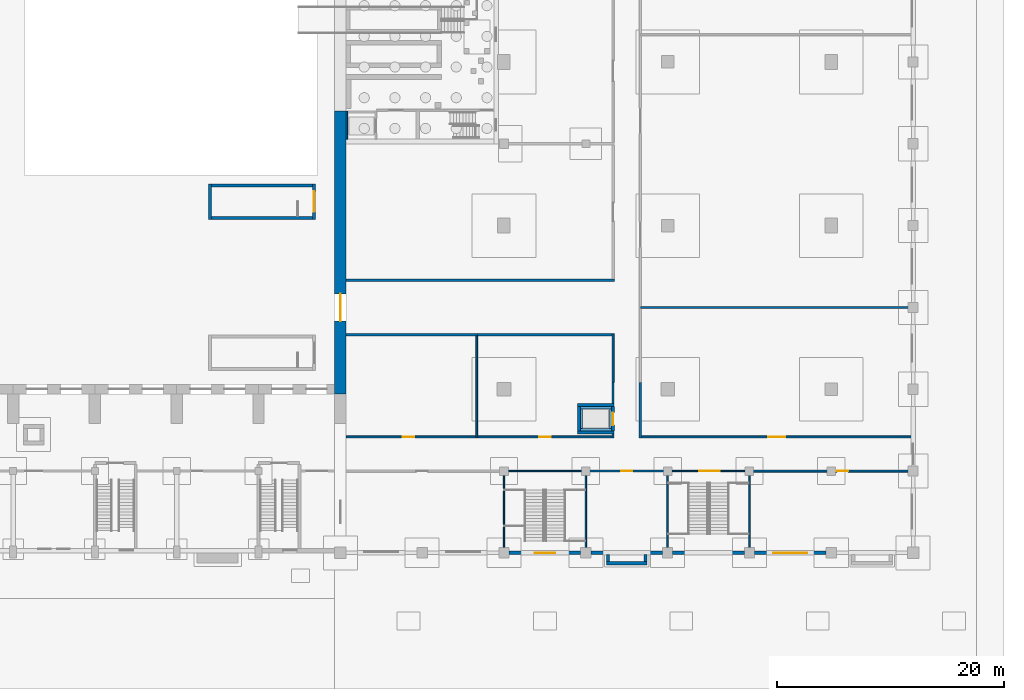
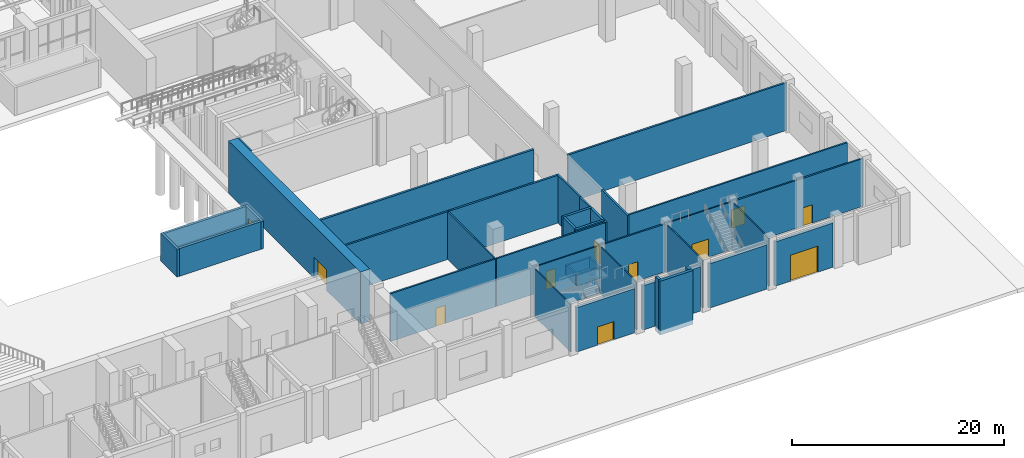
# One storey, part 48 of 70: 41 walls, 11 doors, 11 openings.
"""IFC4 building model written with IfcOpenShell, lengths in metres."""

from ifc_helpers import new_model, si_unit, direction, frame, frame_2d, origin, place, context, subcontext, project, spatial, rectangle, extrude, material, layer, layer_set, type_object, element, fill, save


model = new_model("IFC4")

# Units and contexts
model_context = context("Model", 3, precision=1e-05, world=origin(), true_north=direction((0.0, 1.0)))
body_context = subcontext(model_context, "Body", "Model", "MODEL_VIEW")
ifc_project = project(units=[si_unit("LENGTHUNIT", "METRE"), si_unit("AREAUNIT", "SQUARE_METRE"), si_unit("VOLUMEUNIT", "CUBIC_METRE"), si_unit("PLANEANGLEUNIT", "RADIAN"), si_unit("MASSUNIT", "GRAM", prefix="KILO")], contexts=[model_context])

# Site, building, storey
site_placement = place(None, origin())
site = spatial("IfcSite", under=ifc_project, at=site_placement, CompositionType="ELEMENT")
building_placement = place(site_placement, origin())
building = spatial("IfcBuilding", under=site, at=building_placement, Name="Vermilion Court Aquatics Centre", CompositionType="ELEMENT")
storey_placement = place(building_placement, origin())
storey = spatial("IfcBuildingStorey", under=building, at=storey_placement, Name="L00", CompositionType="ELEMENT", Elevation=0.0)

# Wall
ifc_material_1 = material(Name="Concrete 5000 psi", Category="concrete")
ifc_layer_1 = layer(ifc_material_1, 0.14990234375)
ifc_layer_set_1 = layer_set([ifc_layer_1], Name="Diving Tower lift shaft wall 150")
wall_type_1 = type_object("IfcWallType", Name="Diving Tower lift shaft wall 150", PredefinedType="PARTITIONING", material=ifc_layer_set_1)
wall_1_placement = place(storey_placement, frame((144.574951171875, 36.39990234375, 0.0), z_axis=(0.0, 0.0, 1.0), x_axis=(0.0, 1.0, 0.0)))
element("IfcWall", 1, at=wall_1_placement, inside=storey, type_object=wall_type_1, Name="Diving Tower lift shaft wall west L00", PredefinedType="PARTITIONING", context=body_context, shape_type="SweptSolid", body=[
    extrude(rectangle(XDim=2.47509765625, YDim=0.14990234375, at=frame_2d((1.237548828125, 0.0))), origin(), (0.0, 0.0, 1.0), 6.0),
])

# Wall, opening, door
ifc_material_2 = material(Name="Concrete 5000 psi", Category="concrete")
ifc_layer_2 = layer(ifc_material_2, 1.0)
ifc_layer_set_2 = layer_set([ifc_layer_2], Name="Envelope east gable separation wall 1000")
wall_type_2 = type_object("IfcWallType", Name="Envelope east gable separation wall 1000", PredefinedType="SOLIDWALL", material=ifc_layer_set_2)
wall_2_placement = place(storey_placement, frame((144.0, 14.0, 0.0), z_axis=(0.0, 0.0, 1.0), x_axis=(0.0, 1.0, 0.0)))
wall_2 = element("IfcWall", 2, at=wall_2_placement, inside=storey, type_object=wall_type_2, Name="Gable wall east L00 south jamb", PredefinedType="SOLIDWALL", context=body_context, shape_type="SweptSolid", body=[
    extrude(rectangle(XDim=24.89990234375, YDim=1.0, at=frame_2d((12.449951171875, 0.0))), origin(), (0.0, 0.0, 1.0), 6.0),
])
opening_1_placement = place(wall_2_placement, frame((6.39990234375, 0.0, 0.0)))
opening_1 = element("IfcOpeningElement", 3, at=opening_1_placement, cuts=wall_2, Name="Opening E00-001", PredefinedType="OPENING", context=body_context, shape_type="SweptSolid", body=[
    extrude(rectangle(XDim=2.39990234375, YDim=2.39990234375, at=frame_2d((1.199951171875, 1.199951171875))), frame((0.0, 0.510009765625, 0.0), z_axis=(0.0, -1.0, 0.0), x_axis=(1.0, 0.0, 0.0)), (0.0, 0.0, 1.0), 1.02001953125),
])
ifc_material_3 = material(Name="Hollow metal")
door_type_1 = type_object("IfcDoorType", Name="Envelope east link door pair 2400x2400", OperationType="DOUBLE_DOOR_SINGLE_SWING", PredefinedType="DOOR", material=ifc_material_3)
door_1_placement = place(opening_1_placement, frame((2.39990234375, 0.0, 0.0), z_axis=(0.0, 0.0, 1.0), x_axis=(-1.0, 0.0, 0.0)))
door_1 = element("IfcDoor", 4, at=door_1_placement, inside=storey, type_object=door_type_1, Name="Deck link to the Fitness and Wellness Wing E00-001", OperationType="DOUBLE_DOOR_SINGLE_SWING", OverallHeight=2.39990234375, OverallWidth=2.39990234375, PredefinedType="DOOR", context=body_context, shape_type="SweptSolid", body=[
    extrude(rectangle(XDim=2.39990234375, YDim=2.39990234375, at=frame_2d((1.199951171875, 1.199951171875))), frame((0.0, 0.025146484375, 0.0), z_axis=(0.0, -1.0, 0.0), x_axis=(1.0, 0.0, 0.0)), (0.0, 0.0, 1.0), 0.050048828125),
])
fill(opening_1, door_1)

# Wall
ifc_material_4 = material(Name="Concrete 5000 psi", Category="concrete")
ifc_layer_3 = layer(ifc_material_4, 0.25)
ifc_layer_set_3 = layer_set([ifc_layer_3], Name="Hall stair enclosure wall 250")
wall_type_3 = type_object("IfcWallType", Name="Hall stair enclosure wall 250", PredefinedType="SOLIDWALL", material=ifc_layer_set_3)
wall_3_placement = place(storey_placement, frame((132.52490234375, 29.35009765625, 0.0), z_axis=(0.0, 0.0, 1.0), x_axis=(0.0, 1.0, 0.0)))
element("IfcWall", 5, at=wall_3_placement, inside=storey, type_object=wall_type_3, Name="Stair lobby 5 wall", PredefinedType="SOLIDWALL", context=body_context, shape_type="SweptSolid", body=[
    extrude(rectangle(XDim=3.099853515625, YDim=0.25, at=frame_2d((1.5498046875, 0.0))), origin(), (0.0, 0.0, 1.0), 3.199951171875),
])

# Wall, opening, door
wall_4_placement = place(storey_placement, frame((141.675048828125, 29.35009765625, 0.0), z_axis=(0.0, 0.0, 1.0), x_axis=(0.0, 1.0, 0.0)))
wall_4 = element("IfcWall", 6, at=wall_4_placement, inside=storey, type_object=wall_type_3, Name="Stair lobby 5 wall", PredefinedType="SOLIDWALL", context=body_context, shape_type="SweptSolid", body=[
    extrude(rectangle(XDim=3.099853515625, YDim=0.25, at=frame_2d((1.5498046875, 0.0))), origin(), (0.0, 0.0, 1.0), 3.199951171875),
])
opening_2_placement = place(wall_4_placement, frame((0.64990234375, 0.0, 0.0)))
opening_2 = element("IfcOpeningElement", 7, at=opening_2_placement, cuts=wall_4, Name="Opening H00-008", PredefinedType="OPENING", context=body_context, shape_type="SweptSolid", body=[
    extrude(rectangle(XDim=1.800048828125, YDim=2.10009765625, at=frame_2d((0.89990234375, 1.050048828125))), frame((0.0, 0.135009765625, 0.0), z_axis=(0.0, -1.0, 0.0), x_axis=(1.0, 0.0, 0.0)), (0.0, 0.0, 1.0), 0.27001953125),
])
ifc_material_5 = material(Name="Hollow metal")
door_type_2 = type_object("IfcDoorType", Name="Hall double door 1800x2100", OperationType="DOUBLE_DOOR_SINGLE_SWING", PredefinedType="DOOR", material=ifc_material_5)
door_2_placement = place(opening_2_placement, origin())
door_2 = element("IfcDoor", 8, at=door_2_placement, inside=storey, type_object=door_type_2, Name="Door from stair lobby 5 to the deck", OperationType="DOUBLE_DOOR_SINGLE_SWING", OverallHeight=2.10009765625, OverallWidth=1.800048828125, PredefinedType="DOOR", context=body_context, shape_type="SweptSolid", body=[
    extrude(rectangle(XDim=1.800048828125, YDim=2.10009765625, at=frame_2d((0.89990234375, 1.050048828125))), frame((0.0, 0.02490234375, 0.0), z_axis=(0.0, -1.0, 0.0), x_axis=(1.0, 0.0, 0.0)), (0.0, 0.0, 1.0), 0.050048828125),
])
fill(opening_2, door_2)

# Walls
for number, where, z_axis, x_axis, name in (
    (9, (132.64990234375, 29.47509765625, 0.0), (0.0, 0.0, 1.0), (1.0, 0.0, 0.0), "Stair lobby 5 wall"),
    (10, (132.64990234375, 32.324951171875, 0.0), (0.0, 0.0, 1.0), (1.0, 0.0, 0.0), "Stair lobby 5 wall"),
):
    element("IfcWall", number, at=place(storey_placement, frame(where, z_axis=z_axis, x_axis=x_axis)), inside=storey, type_object=wall_type_3, Name=name, PredefinedType="SOLIDWALL", context=body_context, shape_type="SweptSolid", body=[
        extrude(rectangle(XDim=8.900146484375, YDim=0.25, at=frame_2d((4.4501953125, 0.0))), origin(), (0.0, 0.0, 1.0), 3.199951171875),
    ])

# Wall, opening, door
ifc_material_6 = material(Name="Concrete masonry ASTM C90 Type I", Category="masonry")
ifc_layer_4 = layer(ifc_material_6, 0.175048828125)
ifc_layer_set_4 = layer_set([ifc_layer_4], Name="Podium corridor wall 175, 1 hr")
wall_type_4 = type_object("IfcWallType", Name="Podium corridor wall 175, 1 hr", PredefinedType="PARTITIONING", material=ifc_layer_set_4)
wall_5_placement = place(storey_placement, frame((165.66259765625, 7.199951171875, 0.0), z_axis=(0.0, 0.0, 1.0), x_axis=(1.0, 0.0, 0.0)))
wall_5 = element("IfcWall", 11, at=wall_5_placement, inside=storey, type_object=wall_type_4, Name="Corridor wall", PredefinedType="PARTITIONING", context=body_context, shape_type="SweptSolid", body=[
    extrude(rectangle(XDim=7.074951171875, YDim=0.175048828125, at=frame_2d((3.53759765625, 0.0))), origin(), (0.0, 0.0, 1.0), 5.5),
])
opening_3_placement = place(wall_5_placement, frame((3.03759765625, 0.0, 0.0)))
opening_3 = element("IfcOpeningElement", 12, at=opening_3_placement, cuts=wall_5, Name="Opening P00-004", PredefinedType="OPENING", context=body_context, shape_type="SweptSolid", body=[
    extrude(rectangle(XDim=1.0, YDim=2.199951171875, at=frame_2d((0.5, 1.10009765625))), frame((0.0, 0.097412109375, 0.0), z_axis=(0.0, -1.0, 0.0), x_axis=(1.0, 0.0, 0.0)), (0.0, 0.0, 1.0), 0.195068359375),
])
ifc_material_7 = material(Name="Hollow metal")
door_type_3 = type_object("IfcDoorType", Name="Podium fire door back-of-house leaf 1000x2200, 60 min", OperationType="NOTDEFINED", PredefinedType="DOOR", material=ifc_material_7)
door_3_placement = place(opening_3_placement, frame((1.0, 0.0, 0.0), z_axis=(0.0, 0.0, 1.0), x_axis=(-1.0, 0.0, 0.0)))
door_3 = element("IfcDoor", 13, at=door_3_placement, inside=storey, type_object=door_type_3, Name="Door", OperationType="SINGLE_SWING_RIGHT", OverallHeight=2.199951171875, OverallWidth=1.0, PredefinedType="DOOR", context=body_context, shape_type="SweptSolid", body=[
    extrude(rectangle(XDim=1.0, YDim=2.199951171875, at=frame_2d((0.5, 1.10009765625))), frame((0.0, 0.025146484375, 0.0), z_axis=(0.0, -1.0, 0.0), x_axis=(1.0, 0.0, 0.0)), (0.0, 0.0, 1.0), 0.050048828125),
])
fill(opening_3, door_3)

wall_6_placement = place(storey_placement, frame((180.0625, 7.199951171875, 0.0), z_axis=(0.0, 0.0, 1.0), x_axis=(1.0, 0.0, 0.0)))
wall_6 = element("IfcWall", 14, at=wall_6_placement, inside=storey, type_object=wall_type_4, Name="Corridor wall", PredefinedType="PARTITIONING", context=body_context, shape_type="SweptSolid", body=[
    extrude(rectangle(XDim=14.1875, YDim=0.175048828125, at=frame_2d((7.09375, 0.0))), origin(), (0.0, 0.0, 1.0), 5.5),
])
opening_4_placement = place(wall_6_placement, frame((7.637451171875, 0.0, 0.0)))
opening_4 = element("IfcOpeningElement", 15, at=opening_4_placement, cuts=wall_6, Name="Opening P00-008", PredefinedType="OPENING", context=body_context, shape_type="SweptSolid", body=[
    extrude(rectangle(XDim=1.0, YDim=2.10009765625, at=frame_2d((0.5, 1.050048828125))), frame((0.0, 0.097412109375, 0.0), z_axis=(0.0, -1.0, 0.0), x_axis=(1.0, 0.0, 0.0)), (0.0, 0.0, 1.0), 0.195068359375),
])
ifc_material_8 = material(Name="Hollow metal")
door_type_4 = type_object("IfcDoorType", Name="Podium fire door leaf 1000x2100, 60 min", OperationType="NOTDEFINED", PredefinedType="DOOR", material=ifc_material_8)
door_4_placement = place(opening_4_placement, frame((1.0, 0.0, 0.0), z_axis=(0.0, 0.0, 1.0), x_axis=(-1.0, 0.0, 0.0)))
door_4 = element("IfcDoor", 16, at=door_4_placement, inside=storey, type_object=door_type_4, Name="Door", OperationType="SINGLE_SWING_LEFT", OverallHeight=2.10009765625, OverallWidth=1.0, PredefinedType="DOOR", context=body_context, shape_type="SweptSolid", body=[
    extrude(rectangle(XDim=1.0, YDim=2.10009765625, at=frame_2d((0.5, 1.050048828125))), frame((0.0, 0.025146484375, 0.0), z_axis=(0.0, -1.0, 0.0), x_axis=(1.0, 0.0, 0.0)), (0.0, 0.0, 1.0), 0.050048828125),
])
fill(opening_4, door_4)

wall_7_placement = place(storey_placement, frame((144.5, 10.199951171875, 0.0), z_axis=(0.0, 0.0, 1.0), x_axis=(1.0, 0.0, 0.0)))
wall_7 = element("IfcWall", 17, at=wall_7_placement, inside=storey, type_object=wall_type_4, Name="Corridor wall", PredefinedType="PARTITIONING", context=body_context, shape_type="SweptSolid", body=[
    extrude(rectangle(XDim=11.425048828125, YDim=0.175048828125, at=frame_2d((5.71240234375, 0.0))), origin(), (0.0, 0.0, 1.0), 5.5),
])
opening_5_placement = place(wall_7_placement, frame((5.0, 0.0, 0.0)))
opening_5 = element("IfcOpeningElement", 18, at=opening_5_placement, cuts=wall_7, Name="Opening P00-006", PredefinedType="OPENING", context=body_context, shape_type="SweptSolid", body=[
    extrude(rectangle(XDim=1.0, YDim=2.10009765625, at=frame_2d((0.5, 1.050048828125))), frame((0.0, 0.097412109375, 0.0), z_axis=(0.0, -1.0, 0.0), x_axis=(1.0, 0.0, 0.0)), (0.0, 0.0, 1.0), 0.195068359375),
])
door_5_placement = place(opening_5_placement, origin())
door_5 = element("IfcDoor", 19, at=door_5_placement, inside=storey, type_object=door_type_4, Name="Door", OperationType="SINGLE_SWING_LEFT", OverallHeight=2.10009765625, OverallWidth=1.0, PredefinedType="DOOR", context=body_context, shape_type="SweptSolid", body=[
    extrude(rectangle(XDim=1.0, YDim=2.10009765625, at=frame_2d((0.5, 1.050048828125))), frame((0.0, 0.02490234375, 0.0), z_axis=(0.0, -1.0, 0.0), x_axis=(1.0, 0.0, 0.0)), (0.0, 0.0, 1.0), 0.050048828125),
])
fill(opening_5, door_5)

wall_8_placement = place(storey_placement, frame((156.074951171875, 10.199951171875, 0.0), z_axis=(0.0, 0.0, 1.0), x_axis=(1.0, 0.0, 0.0)))
wall_8 = element("IfcWall", 20, at=wall_8_placement, inside=storey, type_object=wall_type_4, Name="Corridor wall", PredefinedType="PARTITIONING", context=body_context, shape_type="SweptSolid", body=[
    extrude(rectangle(XDim=11.824951171875, YDim=0.175048828125, at=frame_2d((5.91259765625, 0.0))), origin(), (0.0, 0.0, 1.0), 5.5),
])
opening_6_placement = place(wall_8_placement, frame((5.425048828125, 0.0, 0.0)))
opening_6 = element("IfcOpeningElement", 21, at=opening_6_placement, cuts=wall_8, Name="Opening P00-007", PredefinedType="OPENING", context=body_context, shape_type="SweptSolid", body=[
    extrude(rectangle(XDim=1.0, YDim=2.10009765625, at=frame_2d((0.5, 1.050048828125))), frame((0.0, 0.097412109375, 0.0), z_axis=(0.0, -1.0, 0.0), x_axis=(1.0, 0.0, 0.0)), (0.0, 0.0, 1.0), 0.195068359375),
])
door_6_placement = place(opening_6_placement, origin())
door_6 = element("IfcDoor", 22, at=door_6_placement, inside=storey, type_object=door_type_4, Name="Door", OperationType="SINGLE_SWING_LEFT", OverallHeight=2.10009765625, OverallWidth=1.0, PredefinedType="DOOR", context=body_context, shape_type="SweptSolid", body=[
    extrude(rectangle(XDim=1.0, YDim=2.10009765625, at=frame_2d((0.5, 1.050048828125))), frame((0.0, 0.02490234375, 0.0), z_axis=(0.0, -1.0, 0.0), x_axis=(1.0, 0.0, 0.0)), (0.0, 0.0, 1.0), 0.050048828125),
])
fill(opening_6, door_6)

wall_9_placement = place(storey_placement, frame((170.5, 10.199951171875, 0.0), z_axis=(0.0, 0.0, 1.0), x_axis=(1.0, 0.0, 0.0)))
wall_9 = element("IfcWall", 23, at=wall_9_placement, inside=storey, type_object=wall_type_4, Name="Corridor wall", PredefinedType="PARTITIONING", context=body_context, shape_type="SweptSolid", body=[
    extrude(rectangle(XDim=23.75, YDim=0.175048828125, at=frame_2d((11.875, 0.0))), origin(), (0.0, 0.0, 1.0), 5.5),
])
opening_7_placement = place(wall_9_placement, frame((11.14990234375, 0.0, 0.0)))
opening_7 = element("IfcOpeningElement", 24, at=opening_7_placement, cuts=wall_9, Name="Opening P00-009", PredefinedType="OPENING", context=body_context, shape_type="SweptSolid", body=[
    extrude(rectangle(XDim=1.5, YDim=2.10009765625, at=frame_2d((0.75, 1.050048828125))), frame((0.0, 0.097412109375, 0.0), z_axis=(0.0, -1.0, 0.0), x_axis=(1.0, 0.0, 0.0)), (0.0, 0.0, 1.0), 0.195068359375),
])
ifc_material_9 = material(Name="Hollow metal")
door_type_5 = type_object("IfcDoorType", Name="Podium fire door laundry pair 1500x2100, 60 min", OperationType="DOUBLE_DOOR_SINGLE_SWING", PredefinedType="DOOR", material=ifc_material_9)
door_7_placement = place(opening_7_placement, origin())
door_7 = element("IfcDoor", 25, at=door_7_placement, inside=storey, type_object=door_type_5, Name="Door", OperationType="DOUBLE_DOOR_SINGLE_SWING", OverallHeight=2.10009765625, OverallWidth=1.5, PredefinedType="DOOR", context=body_context, shape_type="SweptSolid", body=[
    extrude(rectangle(XDim=1.5, YDim=2.10009765625, at=frame_2d((0.75, 1.050048828125))), frame((0.0, 0.02490234375, 0.0), z_axis=(0.0, -1.0, 0.0), x_axis=(1.0, 0.0, 0.0)), (0.0, 0.0, 1.0), 0.050048828125),
])
fill(opening_7, door_7)

# Wall
wall_10_placement = place(storey_placement, frame((168.0, 15.0, 0.0), z_axis=(0.0, 0.0, 1.0), x_axis=(0.0, 1.0, 0.0)))
element("IfcWall", 26, at=wall_10_placement, inside=storey, type_object=wall_type_4, Name="Corridor wall", PredefinedType="PARTITIONING", context=body_context, shape_type="SweptSolid", body=[
    extrude(rectangle(XDim=4.300048828125, YDim=0.175048828125, at=frame_2d((2.14990234375, 0.0))), origin(), (0.0, 0.0, 1.0), 5.5),
])

# Wall, opening, door
ifc_material_10 = material(Name="Brick masonry", Category="masonry")
ifc_layer_5 = layer(ifc_material_10, 0.300048828125)
ifc_layer_set_5 = layer_set([ifc_layer_5], Name="Podium facade brick wall 300")
wall_type_5 = type_object("IfcWallType", Name="Podium facade brick wall 300", PredefinedType="SOLIDWALL", material=ifc_layer_set_5)
wall_11_placement = place(storey_placement, frame((158.85009765625, 0.0, 0.0), z_axis=(0.0, 0.0, 1.0), x_axis=(1.0, 0.0, 0.0)))
wall_11 = element("IfcWall", 27, at=wall_11_placement, inside=storey, type_object=wall_type_5, Name="Facade wall L00", PredefinedType="SOLIDWALL", context=body_context, shape_type="SweptSolid", body=[
    extrude(rectangle(XDim=6.2998046875, YDim=0.300048828125, at=frame_2d((3.14990234375, 0.0))), origin(), (0.0, 0.0, 1.0), 5.10009765625),
])
opening_8_placement = place(wall_11_placement, frame((2.25, 0.0, 0.0)))
opening_8 = element("IfcOpeningElement", 28, at=opening_8_placement, cuts=wall_11, Name="Opening WX1", PredefinedType="OPENING", context=body_context, shape_type="SweptSolid", body=[
    extrude(rectangle(XDim=1.800048828125, YDim=2.10009765625, at=frame_2d((0.89990234375, 1.050048828125))), frame((0.0, 0.159912109375, 0.0), z_axis=(0.0, -1.0, 0.0), x_axis=(1.0, 0.0, 0.0)), (0.0, 0.0, 1.0), 0.320068359375),
])
ifc_material_11 = material(Name="Hollow metal")
door_type_6 = type_object("IfcDoorType", Name="Podium exit door pair 1800x2100", OperationType="DOUBLE_DOOR_SINGLE_SWING", PredefinedType="DOOR", material=ifc_material_11)
door_8_placement = place(opening_8_placement, frame((1.800048828125, 0.0, 0.0), z_axis=(0.0, 0.0, 1.0), x_axis=(-1.0, 0.0, 0.0)))
door_8 = element("IfcDoor", 29, at=door_8_placement, inside=storey, type_object=door_type_6, Name="Exit door WX1", OperationType="DOUBLE_DOOR_SINGLE_SWING", OverallHeight=2.10009765625, OverallWidth=1.800048828125, PredefinedType="DOOR", context=body_context, shape_type="SweptSolid", body=[
    extrude(rectangle(XDim=1.800048828125, YDim=2.10009765625, at=frame_2d((0.900146484375, 1.050048828125))), frame((0.0, 0.025146484375, 0.0), z_axis=(0.0, -1.0, 0.0), x_axis=(1.0, 0.0, 0.0)), (0.0, 0.0, 1.0), 0.050048828125),
])
fill(opening_8, door_8)

# Walls
for number, where, z_axis, x_axis, name in (
    (30, (166.050048828125, 0.0, 0.0), (0.0, 0.0, 1.0), (1.0, 0.0, 0.0), "Facade wall L00"),
    (31, (173.25, 0.0, 0.0), (0.0, 0.0, 1.0), (1.0, 0.0, 0.0), "Facade wall L00"),
):
    element("IfcWall", number, at=place(storey_placement, frame(where, z_axis=z_axis, x_axis=x_axis)), inside=storey, type_object=wall_type_5, Name=name, PredefinedType="SOLIDWALL", context=body_context, shape_type="SweptSolid", body=[
        extrude(rectangle(XDim=6.300048828125, YDim=0.300048828125, at=frame_2d((3.14990234375, 0.0))), origin(), (0.0, 0.0, 1.0), 5.10009765625),
    ])

# Wall, opening, door
wall_12_placement = place(storey_placement, frame((180.449951171875, 0.0, 0.0), z_axis=(0.0, 0.0, 1.0), x_axis=(1.0, 0.0, 0.0)))
wall_12 = element("IfcWall", 32, at=wall_12_placement, inside=storey, type_object=wall_type_5, Name="Facade wall L00", PredefinedType="SOLIDWALL", context=body_context, shape_type="SweptSolid", body=[
    extrude(rectangle(XDim=6.300048828125, YDim=0.300048828125, at=frame_2d((3.14990234375, 0.0))), origin(), (0.0, 0.0, 1.0), 5.10009765625),
])
opening_9_placement = place(wall_12_placement, frame((1.64990234375, 0.0, 0.0)))
opening_9 = element("IfcOpeningElement", 33, at=opening_9_placement, cuts=wall_12, Name="Opening P00-002", PredefinedType="OPENING", context=body_context, shape_type="SweptSolid", body=[
    extrude(rectangle(XDim=3.0, YDim=3.0, at=frame_2d((1.5, 1.5))), frame((0.0, 0.159912109375, 0.0), z_axis=(0.0, -1.0, 0.0), x_axis=(1.0, 0.0, 0.0)), (0.0, 0.0, 1.0), 0.320068359375),
])
ifc_material_12 = material(Name="Hollow metal")
door_type_7 = type_object("IfcDoorType", Name="Podium loading dock shutter 3000x3000", OperationType="ROLLINGUP", PredefinedType="DOOR", material=ifc_material_12)
door_9_placement = place(opening_9_placement, frame((3.0, 0.0, 0.0), z_axis=(0.0, 0.0, 1.0), x_axis=(-1.0, 0.0, 0.0)))
door_9 = element("IfcDoor", 34, at=door_9_placement, inside=storey, type_object=door_type_7, Name="Loading dock door", OperationType="ROLLINGUP", OverallHeight=3.0, OverallWidth=3.0, PredefinedType="DOOR", context=body_context, shape_type="SweptSolid", body=[
    extrude(rectangle(XDim=3.0, YDim=3.0, at=frame_2d((1.5, 1.5))), frame((0.0, 0.025146484375, 0.0), z_axis=(0.0, -1.0, 0.0), x_axis=(1.0, 0.0, 0.0)), (0.0, 0.0, 1.0), 0.050048828125),
])
fill(opening_9, door_9)

# Walls
ifc_material_13 = material(Name="Concrete masonry ASTM C90 Type I", Category="masonry")
ifc_layer_6 = layer(ifc_material_13, 0.199951171875)
ifc_layer_set_6 = layer_set([ifc_layer_6], Name="Podium fire-rated partition 200, 1 hr")
wall_type_6 = type_object("IfcWallType", Name="Podium fire-rated partition 200, 1 hr", PredefinedType="PARTITIONING", material=ifc_layer_set_6)
wall_13_placement = place(storey_placement, frame((144.5, 19.199951171875, 0.0), z_axis=(0.0, 0.0, 1.0), x_axis=(1.0, 0.0, 0.0)))
element("IfcWall", 35, at=wall_13_placement, inside=storey, type_object=wall_type_6, Name="Fire-rated partition", PredefinedType="PARTITIONING", context=body_context, shape_type="SweptSolid", body=[
    extrude(rectangle(XDim=11.574951171875, YDim=0.199951171875, at=frame_2d((5.78759765625, 0.0))), origin(), (0.0, 0.0, 1.0), 5.5),
])
wall_14_placement = place(storey_placement, frame((156.074951171875, 19.199951171875, 0.0), z_axis=(0.0, 0.0, 1.0), x_axis=(1.0, 0.0, 0.0)))
element("IfcWall", 36, at=wall_14_placement, inside=storey, type_object=wall_type_6, Name="Fire-rated partition", PredefinedType="PARTITIONING", context=body_context, shape_type="SweptSolid", body=[
    extrude(rectangle(XDim=11.837646484375, YDim=0.199951171875, at=frame_2d((5.9189453125, 0.0))), origin(), (0.0, 0.0, 1.0), 5.5),
])
wall_15_placement = place(storey_placement, frame((168.0, 10.112548828125, 0.0), z_axis=(0.0, 0.0, 1.0), x_axis=(0.0, 1.0, 0.0)))
element("IfcWall", 37, at=wall_15_placement, inside=storey, type_object=wall_type_6, Name="Fire-rated partition", PredefinedType="PARTITIONING", context=body_context, shape_type="SweptSolid", body=[
    extrude(rectangle(XDim=0.362548828125, YDim=0.199951171875, at=frame_2d((0.18115234375, 0.0))), origin(), (0.0, 0.0, 1.0), 5.5),
])
wall_16_placement = place(storey_placement, frame((168.0, 13.125, 0.0), z_axis=(0.0, 0.0, 1.0), x_axis=(0.0, 1.0, 0.0)))
element("IfcWall", 38, at=wall_16_placement, inside=storey, type_object=wall_type_6, Name="Fire-rated partition", PredefinedType="PARTITIONING", context=body_context, shape_type="SweptSolid", body=[
    extrude(rectangle(XDim=1.875, YDim=0.199951171875, at=frame_2d((0.9375, 0.0))), origin(), (0.0, 0.0, 1.0), 5.5),
])
wall_17_placement = place(storey_placement, frame((170.39990234375, 10.112548828125, 0.0), z_axis=(0.0, 0.0, 1.0), x_axis=(0.0, 1.0, 0.0)))
element("IfcWall", 39, at=wall_17_placement, inside=storey, type_object=wall_type_6, Name="Fire-rated partition", PredefinedType="PARTITIONING", context=body_context, shape_type="SweptSolid", body=[
    extrude(rectangle(XDim=4.887451171875, YDim=0.199951171875, at=frame_2d((2.44384765625, 0.0))), origin(), (0.0, 0.0, 1.0), 5.5),
])
wall_18_placement = place(storey_placement, frame((170.39990234375, 21.60009765625, 0.0), z_axis=(0.0, 0.0, 1.0), x_axis=(1.0, 0.0, 0.0)))
element("IfcWall", 40, at=wall_18_placement, inside=storey, type_object=wall_type_6, Name="Fire-rated partition", PredefinedType="PARTITIONING", context=body_context, shape_type="SweptSolid", body=[
    extrude(rectangle(XDim=23.85009765625, YDim=0.199951171875, at=frame_2d((11.925048828125, 0.0))), origin(), (0.0, 0.0, 1.0), 5.5),
])
ifc_material_14 = material(Name="Concrete masonry ASTM C90 Type I", Category="masonry")
ifc_layer_7 = layer(ifc_material_14, 0.22509765625)
ifc_layer_set_7 = layer_set([ifc_layer_7], Name="Podium kitchen wall 225, 1 hr")
wall_type_7 = type_object("IfcWallType", Name="Podium kitchen wall 225, 1 hr", PredefinedType="PARTITIONING", material=ifc_layer_set_7)
wall_19_placement = place(storey_placement, frame((144.5, 24.0, 0.0), z_axis=(0.0, 0.0, 1.0), x_axis=(1.0, 0.0, 0.0)))
element("IfcWall", 41, at=wall_19_placement, inside=storey, type_object=wall_type_7, Name="Kitchen wall", PredefinedType="PARTITIONING", context=body_context, shape_type="SweptSolid", body=[
    extrude(rectangle(XDim=23.612548828125, YDim=0.22509765625, at=frame_2d((11.80615234375, 0.0))), origin(), (0.0, 0.0, 1.0), 5.5),
])
ifc_material_15 = material(Name="Concrete 5000 psi", Category="concrete")
ifc_layer_8 = layer(ifc_material_15, 0.199951171875)
ifc_layer_set_8 = layer_set([ifc_layer_8], Name="Podium lift pit wall 200")
wall_type_8 = type_object("IfcWallType", Name="Podium lift pit wall 200", PredefinedType="SOLIDWALL", material=ifc_layer_set_8)
for number, where, z_axis, x_axis, name in (
    (42, (165.125, 10.824951171875, -1.199951171875), (0.0, 0.0, 1.0), (1.0, 0.0, 0.0), "Service lift pit wall"),
    (43, (165.125, 12.77490234375, -1.199951171875), (0.0, 0.0, 1.0), (1.0, 0.0, 0.0), "Service lift pit wall"),
):
    element("IfcWall", number, at=place(storey_placement, frame(where, z_axis=z_axis, x_axis=x_axis)), inside=storey, type_object=wall_type_8, Name=name, PredefinedType="SOLIDWALL", context=body_context, shape_type="SweptSolid", body=[
        extrude(rectangle(XDim=2.75, YDim=0.199951171875, at=frame_2d((1.375, 0.0))), origin(), (0.0, 0.0, 1.0), 1.199951171875),
    ])
for number, where, z_axis, x_axis, name in (
    (44, (165.22509765625, 10.925048828125, -1.199951171875), (0.0, 0.0, 1.0), (0.0, 1.0, 0.0), "Service lift pit wall"),
    (45, (167.77490234375, 10.925048828125, -1.199951171875), (0.0, 0.0, 1.0), (0.0, 1.0, 0.0), "Service lift pit wall"),
):
    element("IfcWall", number, at=place(storey_placement, frame(where, z_axis=z_axis, x_axis=x_axis)), inside=storey, type_object=wall_type_8, Name=name, PredefinedType="SOLIDWALL", context=body_context, shape_type="SweptSolid", body=[
        extrude(rectangle(XDim=1.75, YDim=0.199951171875, at=frame_2d((0.875, 0.0))), origin(), (0.0, 0.0, 1.0), 1.199951171875),
    ])
ifc_material_16 = material(Name="Concrete 5000 psi", Category="concrete")
ifc_layer_9 = layer(ifc_material_16, 0.25)
ifc_layer_set_9 = layer_set([ifc_layer_9], Name="Podium lift shaft wall 250, 2 hr")
wall_type_9 = type_object("IfcWallType", Name="Podium lift shaft wall 250, 2 hr", PredefinedType="SOLIDWALL", material=ifc_layer_set_9)
wall_20_placement = place(storey_placement, frame((164.875, 13.0, 0.0), z_axis=(0.0, 0.0, 1.0), x_axis=(1.0, 0.0, 0.0)))
element("IfcWall", 46, at=wall_20_placement, inside=storey, type_object=wall_type_9, Name="Lift shaft wall", PredefinedType="SOLIDWALL", context=body_context, shape_type="SweptSolid", body=[
    extrude(rectangle(XDim=3.22509765625, YDim=0.25, at=frame_2d((1.612548828125, 0.0))), origin(), (0.0, 0.0, 1.0), 5.5),
])
wall_21_placement = place(storey_placement, frame((165.0, 10.72509765625, 0.0), z_axis=(0.0, 0.0, 1.0), x_axis=(0.0, 1.0, 0.0)))
element("IfcWall", 47, at=wall_21_placement, inside=storey, type_object=wall_type_9, Name="Lift shaft wall", PredefinedType="SOLIDWALL", context=body_context, shape_type="SweptSolid", body=[
    extrude(rectangle(XDim=2.14990234375, YDim=0.25, at=frame_2d((1.074951171875, 0.0))), origin(), (0.0, 0.0, 1.0), 5.5),
])
wall_22_placement = place(storey_placement, frame((164.875, 10.60009765625, 0.0), z_axis=(0.0, 0.0, 1.0), x_axis=(1.0, 0.0, 0.0)))
element("IfcWall", 48, at=wall_22_placement, inside=storey, type_object=wall_type_9, Name="Lift shaft wall", PredefinedType="SOLIDWALL", context=body_context, shape_type="SweptSolid", body=[
    extrude(rectangle(XDim=3.22509765625, YDim=0.25, at=frame_2d((1.612548828125, 0.0))), origin(), (0.0, 0.0, 1.0), 5.5),
])

# Wall, opening, door
wall_23_placement = place(storey_placement, frame((168.0, 10.72509765625, 0.0), z_axis=(0.0, 0.0, 1.0), x_axis=(0.0, 1.0, 0.0)))
wall_23 = element("IfcWall", 49, at=wall_23_placement, inside=storey, type_object=wall_type_9, Name="Lift shaft wall", PredefinedType="SOLIDWALL", context=body_context, shape_type="SweptSolid", body=[
    extrude(rectangle(XDim=2.14990234375, YDim=0.25, at=frame_2d((1.074951171875, 0.0))), origin(), (0.0, 0.0, 1.0), 5.5),
])
opening_10_placement = place(wall_23_placement, frame((0.52490234375, 0.0, 0.0)))
opening_10 = element("IfcOpeningElement", 50, at=opening_10_placement, cuts=wall_23, Name="Opening LD00-001", PredefinedType="OPENING", context=body_context, shape_type="SweptSolid", body=[
    extrude(rectangle(XDim=1.10009765625, YDim=2.10009765625, at=frame_2d((0.550048828125, 1.050048828125))), frame((0.0, 0.135009765625, 0.0), z_axis=(0.0, -1.0, 0.0), x_axis=(1.0, 0.0, 0.0)), (0.0, 0.0, 1.0), 0.27001953125),
])
ifc_material_17 = material(Name="Hollow metal")
door_type_8 = type_object("IfcDoorType", Name="Podium lift landing door 1100x2100", OperationType="DOUBLE_DOOR_SLIDING", PredefinedType="DOOR", material=ifc_material_17)
door_10_placement = place(opening_10_placement, origin())
door_10 = element("IfcDoor", 51, at=door_10_placement, inside=storey, type_object=door_type_8, Name="Lift landing door", OperationType="DOUBLE_DOOR_SLIDING", OverallHeight=2.10009765625, OverallWidth=1.10009765625, PredefinedType="DOOR", context=body_context, shape_type="SweptSolid", body=[
    extrude(rectangle(XDim=1.10009765625, YDim=2.10009765625, at=frame_2d((0.550048828125, 1.050048828125))), frame((0.0, 0.02490234375, 0.0), z_axis=(0.0, -1.0, 0.0), x_axis=(1.0, 0.0, 0.0)), (0.0, 0.0, 1.0), 0.050048828125),
])
fill(opening_10, door_10)

# Walls
ifc_material_18 = material(Name="Gypsum board")
ifc_layer_10 = layer(ifc_material_18, 0.14990234375)
ifc_layer_set_10 = layer_set([ifc_layer_10], Name="Podium partition wall 150")
wall_type_10 = type_object("IfcWallType", Name="Podium partition wall 150", PredefinedType="PARTITIONING", material=ifc_layer_set_10)
wall_24_placement = place(storey_placement, frame((156.0, 10.112548828125, 0.0), z_axis=(0.0, 0.0, 1.0), x_axis=(0.0, 1.0, 0.0)))
element("IfcWall", 52, at=wall_24_placement, inside=storey, type_object=wall_type_10, Name="Partition", PredefinedType="PARTITIONING", context=body_context, shape_type="SweptSolid", body=[
    extrude(rectangle(XDim=8.987548828125, YDim=0.14990234375, at=frame_2d((4.49365234375, 0.0))), origin(), (0.0, 0.0, 1.0), 5.5),
])
ifc_material_19 = material(Name="Brick masonry", Category="masonry")
ifc_layer_11 = layer(ifc_material_19, 0.300048828125)
ifc_layer_set_11 = layer_set([ifc_layer_11], Name="Podium projecting bay wall 300")
wall_type_11 = type_object("IfcWallType", Name="Podium projecting bay wall 300", PredefinedType="SOLIDWALL", material=ifc_layer_set_11)
wall_25_placement = place(storey_placement, frame((167.39990234375, -0.89990234375, -0.5), z_axis=(0.0, 0.0, 1.0), x_axis=(1.0, 0.0, 0.0)))
element("IfcWall", 53, at=wall_25_placement, inside=storey, type_object=wall_type_11, Name="Projecting bay front wall L00", PredefinedType="SOLIDWALL", context=body_context, shape_type="SweptSolid", body=[
    extrude(rectangle(XDim=3.60009765625, YDim=0.300048828125, at=frame_2d((1.800048828125, 0.0))), origin(), (0.0, 0.0, 1.0), 6.199951171875),
])
for number, where, z_axis, x_axis, name in (
    (54, (167.550048828125, -0.75, -0.5), (0.0, 0.0, 1.0), (0.0, 1.0, 0.0), "Projecting bay side wall L00"),
    (55, (170.85009765625, -0.75, -0.5), (0.0, 0.0, 1.0), (0.0, 1.0, 0.0), "Projecting bay side wall L00"),
):
    element("IfcWall", number, at=place(storey_placement, frame(where, z_axis=z_axis, x_axis=x_axis)), inside=storey, type_object=wall_type_11, Name=name, PredefinedType="SOLIDWALL", context=body_context, shape_type="SweptSolid", body=[
        extrude(rectangle(XDim=0.60009765625, YDim=0.300048828125, at=frame_2d((0.300048828125, 0.0))), origin(), (0.0, 0.0, 1.0), 6.199951171875),
    ])
ifc_material_20 = material(Name="Concrete 5000 psi", Category="concrete")
ifc_layer_12 = layer(ifc_material_20, 0.125)
ifc_layer_set_12 = layer_set([ifc_layer_12], Name="Podium stair enclosure wall 125, 2 hr")
wall_type_12 = type_object("IfcWallType", Name="Podium stair enclosure wall 125, 2 hr", PredefinedType="SOLIDWALL", material=ifc_layer_set_12)
wall_26_placement = place(storey_placement, frame((158.39990234375, 0.14990234375, 0.0), z_axis=(0.0, 0.0, 1.0), x_axis=(0.0, 1.0, 0.0)))
element("IfcWall", 56, at=wall_26_placement, inside=storey, type_object=wall_type_12, Name="Stair enclosure wall", PredefinedType="SOLIDWALL", context=body_context, shape_type="SweptSolid", body=[
    extrude(rectangle(XDim=6.962646484375, YDim=0.125, at=frame_2d((3.4814453125, 0.0))), origin(), (0.0, 0.0, 1.0), 5.5),
])
wall_27_placement = place(storey_placement, frame((158.46240234375, 7.199951171875, 0.0), z_axis=(0.0, 0.0, 1.0), x_axis=(1.0, 0.0, 0.0)))
element("IfcWall", 57, at=wall_27_placement, inside=storey, type_object=wall_type_12, Name="Stair enclosure wall", PredefinedType="SOLIDWALL", context=body_context, shape_type="SweptSolid", body=[
    extrude(rectangle(XDim=7.0751953125, YDim=0.125, at=frame_2d((3.53759765625, 0.0))), origin(), (0.0, 0.0, 1.0), 5.5),
])

# Wall, opening, door
wall_28_placement = place(storey_placement, frame((172.862548828125, 7.199951171875, 0.0), z_axis=(0.0, 0.0, 1.0), x_axis=(1.0, 0.0, 0.0)))
wall_28 = element("IfcWall", 58, at=wall_28_placement, inside=storey, type_object=wall_type_12, Name="Stair enclosure wall", PredefinedType="SOLIDWALL", context=body_context, shape_type="SweptSolid", body=[
    extrude(rectangle(XDim=7.074951171875, YDim=0.125, at=frame_2d((3.53759765625, 0.0))), origin(), (0.0, 0.0, 1.0), 5.5),
])
opening_11_placement = place(wall_28_placement, frame((2.740478515625, 0.0, 0.0)))
opening_11 = element("IfcOpeningElement", 59, at=opening_11_placement, cuts=wall_28, Name="Opening P00-005", PredefinedType="OPENING", context=body_context, shape_type="SweptSolid", body=[
    extrude(rectangle(XDim=1.800048828125, YDim=2.10009765625, at=frame_2d((0.89990234375, 1.050048828125))), frame((0.0, 0.072509765625, 0.0), z_axis=(0.0, -1.0, 0.0), x_axis=(1.0, 0.0, 0.0)), (0.0, 0.0, 1.0), 0.14501953125),
])
ifc_material_21 = material(Name="Hollow metal")
door_type_9 = type_object("IfcDoorType", Name="Podium fire door stair pair 1800x2100, 90 min", OperationType="DOUBLE_DOOR_SINGLE_SWING", PredefinedType="DOOR", material=ifc_material_21)
door_11_placement = place(opening_11_placement, origin())
door_11 = element("IfcDoor", 60, at=door_11_placement, inside=storey, type_object=door_type_9, Name="Door", OperationType="DOUBLE_DOOR_SINGLE_SWING", OverallHeight=2.10009765625, OverallWidth=1.800048828125, PredefinedType="DOOR", context=body_context, shape_type="SweptSolid", body=[
    extrude(rectangle(XDim=1.800048828125, YDim=2.10009765625, at=frame_2d((0.89990234375, 1.050048828125))), frame((0.0, 0.02490234375, 0.0), z_axis=(0.0, -1.0, 0.0), x_axis=(1.0, 0.0, 0.0)), (0.0, 0.0, 1.0), 0.050048828125),
])
fill(opening_11, door_11)

# Walls
for number, where, z_axis, x_axis, name in (
    (61, (165.60009765625, 0.14990234375, 0.0), (0.0, 0.0, 1.0), (0.0, 1.0, 0.0), "Stair enclosure wall"),
    (62, (172.800048828125, 0.14990234375, 0.0), (0.0, 0.0, 1.0), (0.0, 1.0, 0.0), "Stair enclosure wall"),
    (63, (180.0, 0.14990234375, 0.0), (0.0, 0.0, 1.0), (0.0, 1.0, 0.0), "Stair enclosure wall"),
):
    element("IfcWall", number, at=place(storey_placement, frame(where, z_axis=z_axis, x_axis=x_axis)), inside=storey, type_object=wall_type_12, Name=name, PredefinedType="SOLIDWALL", context=body_context, shape_type="SweptSolid", body=[
        extrude(rectangle(XDim=7.112548828125, YDim=0.125, at=frame_2d((3.55615234375, 0.0))), origin(), (0.0, 0.0, 1.0), 5.5),
    ])

save(model, "model.ifc")
